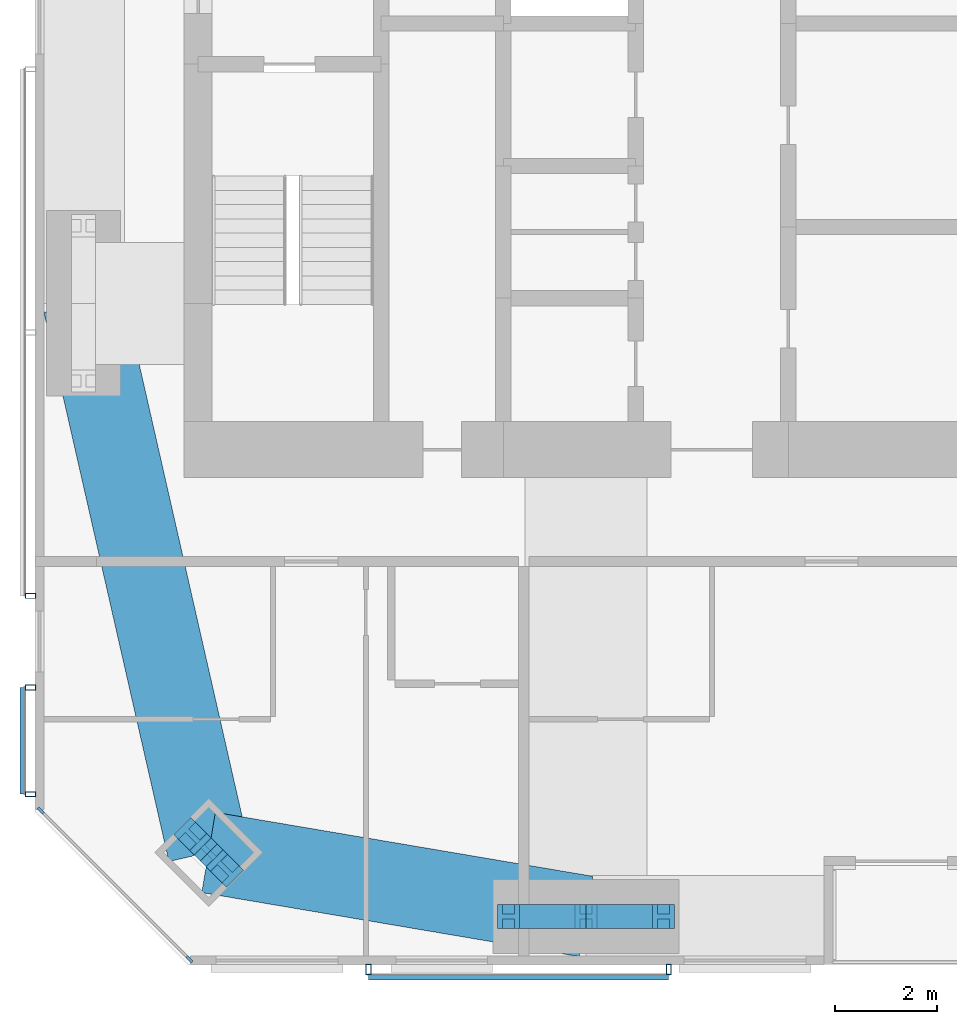
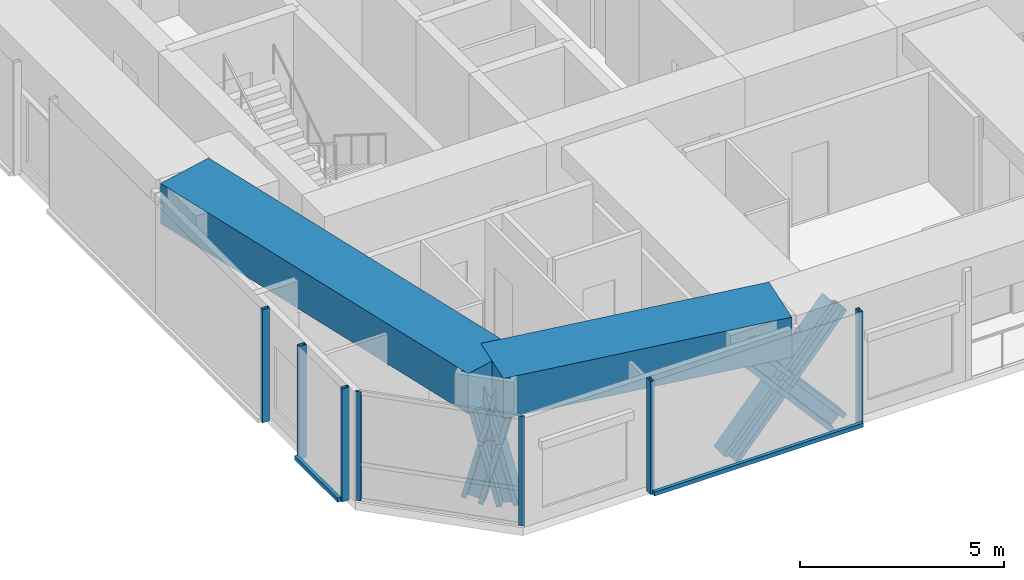
# One storey, part 2 of 19: 17 members, 2 beams, 4 elements without a shape of their own.
"""IFC4 building model written with IfcOpenShell, lengths in metres."""

from ifc_helpers import new_model, si_unit, direction, frame, origin, origin_2d, place, context, subcontext, project, spatial, rectangle, hollow_rectangle, i_section, extrude, material, material_profile, profile_set, type_object, element, aggregate, save


model = new_model("IFC4")

# Units and contexts
model_context = context("Model", 3, precision=1e-05, world=origin(), true_north=direction((0.0, 1.0)))
body_context = subcontext(model_context, "Body", "Model", "MODEL_VIEW")
ifc_project = project(units=[si_unit("LENGTHUNIT", "METRE"), si_unit("AREAUNIT", "SQUARE_METRE"), si_unit("VOLUMEUNIT", "CUBIC_METRE"), si_unit("PLANEANGLEUNIT", "RADIAN"), si_unit("MASSUNIT", "GRAM", prefix="KILO")], contexts=[model_context])

# Site, building, storey
site_placement = place(None, origin())
site = spatial("IfcSite", under=ifc_project, at=site_placement, CompositionType="ELEMENT")
building_placement = place(site_placement, origin())
building = spatial("IfcBuilding", under=site, at=building_placement, Name="Jalousie Tower", CompositionType="ELEMENT")
storey_placement = place(building_placement, frame((0.0, 0.0, 221.449951171875)))
storey = spatial("IfcBuildingStorey", under=building, at=storey_placement, Name="L60", CompositionType="ELEMENT", Elevation=221.449951171875)

# Curtain wall, members
ifc_material_1 = material(Name="Aluminium curtain wall", Category="aluminium")
curtain_wall_type_1 = type_object("IfcCurtainWallType", Name="CORNER WINDOW WALL", PredefinedType="USERDEFINED", material=ifc_material_1)
curtain_wall_1_placement = place(storey_placement, origin())
curtain_wall_1 = element("IfcCurtainWall", 1, at=curtain_wall_1_placement, inside=storey, type_object=curtain_wall_type_1, Name="Corner Window Wall L60 8", ObjectType="CORNER WINDOW WALL", PredefinedType="USERDEFINED")
ifc_material_2 = material(Name="Aluminium mullion", Category="aluminium")
ifc_material_profile_1 = material_profile(ifc_material_2, rectangle(XDim=0.06005859375, YDim=0.14990234375, at=origin_2d()), Name="MULLION 60x150")
ifc_profile_set_1 = profile_set([ifc_material_profile_1], Name="Aluminium mullion")
member_type_1 = type_object("IfcMemberType", Name="CORNER WINDOW WALL MULLION", PredefinedType="MULLION", material=ifc_profile_set_1)
member_1_placement = place(storey_placement, frame((16.90869140625, 3.030029296875, 0.0), z_axis=(0.0, 0.0, 1.0), x_axis=(0.707106781187, 0.707106781187, 0.0)))
member_1 = element("IfcMember", 2, at=member_1_placement, type_object=member_type_1, Name="CW-C mullion 1", PredefinedType="MULLION", context=body_context, shape_type="SweptSolid", body=[
    extrude(rectangle(XDim=0.06005859375, YDim=0.14990234375, at=origin_2d()), origin(), (0.0, 0.0, 1.0), 3.260009765625),
])
member_2_placement = place(storey_placement, frame((19.830078125, 0.108642578125, 0.0), z_axis=(0.0, 0.0, 1.0), x_axis=(0.707106781187, 0.707106781187, 0.0)))
member_2 = element("IfcMember", 3, at=member_2_placement, type_object=member_type_1, Name="CW-C mullion 2", PredefinedType="MULLION", context=body_context, shape_type="SweptSolid", body=[
    extrude(rectangle(XDim=0.06005859375, YDim=0.14990234375, at=origin_2d()), origin(), (0.0, 0.0, 1.0), 3.260009765625),
])
aggregate(curtain_wall_1, [member_1, member_2])

# Members
ifc_material_3 = material(Name="Steel ASTM A992 Grade 50", Category="steel")
ifc_material_profile_2 = material_profile(ifc_material_3, i_section(OverallWidth=0.472412109375, OverallDepth=0.5791015625, WebThickness=0.094970703125, FlangeThickness=0.1298828125, at=origin_2d()), Name="W14X808")
ifc_profile_set_2 = profile_set([ifc_material_profile_2], Name="Steel ASTM A992 Grade 50")
member_type_2 = type_object("IfcMemberType", Name="PERIMETER BRACE W14X808", PredefinedType="BRACE", material=ifc_profile_set_2)
for number, where, z_axis, x_axis, name in (
    (4, (19.888916015625, 2.525390625, -0.599853515625), (0.176051427143, -0.17618653952, 0.968485517854), (0.707377963048, 0.706835495285, 0.0), "Perimeter brace 01 L60 part 1"),
    (5, (20.20703125, 2.20703125, 1.150146484375), (0.17618653952, -0.176051427143, 0.968485517854), (0.706835495285, 0.707377963048, 0.0), "Perimeter brace 01 L60 part 2"),
    (6, (20.525390625, 1.888916015625, -0.599853515625), (-0.17618653952, 0.176051427143, 0.968485517854), (-0.706835495285, -0.707377963048, 0.0), "Perimeter brace 01 L60 part 3"),
    (7, (20.20703125, 2.20703125, 1.150146484375), (-0.176051427143, 0.17618653952, 0.968485517854), (-0.707377963048, -0.706835495285, 0.0), "Perimeter brace 01 L60 part 4"),
):
    element("IfcMember", number, at=place(storey_placement, frame(where, z_axis=z_axis, x_axis=x_axis)), inside=storey, type_object=member_type_2, Name=name, PredefinedType="BRACE", context=body_context, shape_type="SweptSolid", body=[
        extrude(i_section(OverallWidth=0.472412109375, OverallDepth=0.5791015625, WebThickness=0.094970703125, FlangeThickness=0.1298828125, at=origin_2d()), origin(), (0.0, 0.0, 1.0), 1.806884765625),
    ])
for number, where, z_axis, x_axis, name in (
    (8, (26.10009765625, 0.949951171875, -0.599853515625), (0.65695436777, 0.0, 0.753930340726), (0.0, 1.0, 0.0), "Perimeter brace 02 L60 part 1"),
    (9, (27.625, 0.949951171875, 1.150146484375), (0.65695436777, 0.0, 0.753930340726), (0.0, 1.0, 0.0), "Perimeter brace 02 L60 part 2"),
    (10, (29.14990234375, 0.949951171875, -0.599853515625), (-0.65695436777, 0.0, 0.753930340726), (0.0, -1.0, 0.0), "Perimeter brace 02 L60 part 3"),
    (11, (27.625, 0.949951171875, 1.150146484375), (-0.65695436777, 0.0, 0.753930340726), (0.0, -1.0, 0.0), "Perimeter brace 02 L60 part 4"),
):
    element("IfcMember", number, at=place(storey_placement, frame(where, z_axis=z_axis, x_axis=x_axis)), inside=storey, type_object=member_type_2, Name=name, PredefinedType="BRACE", context=body_context, shape_type="SweptSolid", body=[
        extrude(i_section(OverallWidth=0.472412109375, OverallDepth=0.5791015625, WebThickness=0.094970703125, FlangeThickness=0.1298828125, at=origin_2d()), origin(), (0.0, 0.0, 1.0), 2.3212890625),
    ])

# Beams
ifc_material_4 = material(Name="Concrete f'c 40 MPa", Category="concrete")
ifc_material_profile_3 = material_profile(ifc_material_4, rectangle(XDim=1.60009765625, YDim=1.199951171875, at=origin_2d()), Name="RC 1600x1200")
ifc_profile_set_3 = profile_set([ifc_material_profile_3], Name="Concrete f'c 40 MPa")
beam_type = type_object("IfcBeamType", Name="RC BEAM 1600x1200", PredefinedType="BEAM", material=ifc_profile_set_3)
beam_1_placement = place(storey_placement, frame((20.20703125, 2.20703125, 2.900146484375), z_axis=(0.985942997446, -0.167082033105, 0.0), x_axis=(0.167082033105, 0.985942997446, 0.0)))
element("IfcBeam", 12, at=beam_1_placement, inside=storey, type_object=beam_type, Name="Edge band beam 01-02 under L61", PredefinedType="BEAM", context=body_context, shape_type="SweptSolid", body=[
    extrude(rectangle(XDim=1.60009765625, YDim=1.199951171875, at=origin_2d()), origin(), (0.0, 0.0, 1.0), 7.523681640625),
])
beam_2_placement = place(storey_placement, frame((17.75, 13.0, 2.900146484375), z_axis=(0.221971905818, -0.975053061647, 0.0), x_axis=(0.975053061647, 0.221971905818, 0.0)))
element("IfcBeam", 13, at=beam_2_placement, inside=storey, type_object=beam_type, Name="Edge band beam 14-01 under L61", PredefinedType="BEAM", context=body_context, shape_type="SweptSolid", body=[
    extrude(rectangle(XDim=1.60009765625, YDim=1.199951171875, at=origin_2d()), origin(), (0.0, 0.0, 1.0), 11.069091796875),
])

# Curtain wall, members
ifc_material_5 = material(Name="Perforated aluminium sheet", Category="aluminium")
curtain_wall_type_2 = type_object("IfcCurtainWallType", Name="SOLAR SCREEN SS-2", PredefinedType="USERDEFINED", material=ifc_material_5)
curtain_wall_2_placement = place(storey_placement, origin())
curtain_wall_2 = element("IfcCurtainWall", 14, at=curtain_wall_2_placement, inside=storey, type_object=curtain_wall_type_2, Name="Solar screen L60", ObjectType="SOLAR SCREEN SS-2", PredefinedType="USERDEFINED")
ifc_material_6 = material(Name="Steel ASTM A500 Grade C", Category="steel")
ifc_material_profile_4 = material_profile(ifc_material_6, hollow_rectangle(XDim=0.1015625, YDim=0.203125, WallThickness=0.0078125, at=origin_2d()), Name="HSS8X4X5/16")
ifc_profile_set_4 = profile_set([ifc_material_profile_4], Name="Steel ASTM A500 Grade C")
member_type_3 = type_object("IfcMemberType", Name="SOLAR SCREEN SS-2 MULLION", PredefinedType="MULLION", material=ifc_profile_set_4)
member_3_placement = place(storey_placement, frame((23.35009765625, -0.0966796875, -0.119873046875), z_axis=(0.0, 0.0, 1.0), x_axis=(1.0, 0.0, 0.0)))
member_3 = element("IfcMember", 15, at=member_3_placement, type_object=member_type_3, Name="SS2 post 1", PredefinedType="MULLION", context=body_context, shape_type="SweptSolid", body=[
    extrude(hollow_rectangle(XDim=0.1015625, YDim=0.203125, WallThickness=0.0078125, at=origin_2d()), origin(), (0.0, 0.0, 1.0), 3.3798828125),
])
member_4_placement = place(storey_placement, frame((29.25, -0.0966796875, -0.119873046875), z_axis=(0.0, 0.0, 1.0), x_axis=(1.0, 0.0, 0.0)))
member_4 = element("IfcMember", 16, at=member_4_placement, type_object=member_type_3, Name="SS2 post 2", PredefinedType="MULLION", context=body_context, shape_type="SweptSolid", body=[
    extrude(hollow_rectangle(XDim=0.1015625, YDim=0.203125, WallThickness=0.0078125, at=origin_2d()), origin(), (0.0, 0.0, 1.0), 3.3798828125),
])

# Curtain wall, member
curtain_wall_3_placement = place(storey_placement, origin())
curtain_wall_3 = element("IfcCurtainWall", 17, at=curtain_wall_3_placement, inside=storey, type_object=curtain_wall_type_2, Name="Solar screen L60", ObjectType="SOLAR SCREEN SS-2", PredefinedType="USERDEFINED")
member_5_placement = place(storey_placement, frame((16.703369140625, 7.25, -0.119873046875), z_axis=(0.0, 0.0, 1.0), x_axis=(0.0, -1.0, 0.0)))
member_5 = element("IfcMember", 18, at=member_5_placement, type_object=member_type_3, Name="SS2 post 3", PredefinedType="MULLION", context=body_context, shape_type="SweptSolid", body=[
    extrude(hollow_rectangle(XDim=0.1015625, YDim=0.203125, WallThickness=0.0078125, at=origin_2d()), origin(), (0.0, 0.0, 1.0), 3.3798828125),
])
aggregate(curtain_wall_3, [member_5])

# Curtain wall, members
curtain_wall_4_placement = place(storey_placement, origin())
curtain_wall_4 = element("IfcCurtainWall", 19, at=curtain_wall_4_placement, inside=storey, type_object=curtain_wall_type_2, Name="Solar screen L60", ObjectType="SOLAR SCREEN SS-2", PredefinedType="USERDEFINED")
member_6_placement = place(storey_placement, frame((16.703369140625, 5.449951171875, -0.119873046875), z_axis=(0.0, 0.0, 1.0), x_axis=(0.0, -1.0, 0.0)))
member_6 = element("IfcMember", 20, at=member_6_placement, type_object=member_type_3, Name="SS2 post 1", PredefinedType="MULLION", context=body_context, shape_type="SweptSolid", body=[
    extrude(hollow_rectangle(XDim=0.1015625, YDim=0.203125, WallThickness=0.0078125, at=origin_2d()), origin(), (0.0, 0.0, 1.0), 3.3798828125),
])
member_7_placement = place(storey_placement, frame((16.703369140625, 3.351318359375, -0.119873046875), z_axis=(0.0, 0.0, 1.0), x_axis=(0.0, -1.0, 0.0)))
member_7 = element("IfcMember", 21, at=member_7_placement, type_object=member_type_3, Name="SS2 post 2", PredefinedType="MULLION", context=body_context, shape_type="SweptSolid", body=[
    extrude(hollow_rectangle(XDim=0.1015625, YDim=0.203125, WallThickness=0.0078125, at=origin_2d()), origin(), (0.0, 0.0, 1.0), 3.3798828125),
])

# Member
ifc_material_7 = material(Name="Extruded aluminium screen rail", Category="aluminium")
ifc_material_profile_5 = material_profile(ifc_material_7, rectangle(XDim=0.1015625, YDim=0.1201171875, at=origin_2d()), Name="RAIL 102x120")
ifc_profile_set_5 = profile_set([ifc_material_profile_5], Name="Extruded aluminium screen rail")
member_type_4 = type_object("IfcMemberType", Name="SOLAR SCREEN SS-2 TRANSOM", PredefinedType="USERDEFINED", material=ifc_profile_set_5)
member_8_placement = place(storey_placement, frame((23.35009765625, -0.2490234375, -0.06005859375), z_axis=(1.0, 0.0, 0.0), x_axis=(0.0, 1.0, 0.0)))
member_8 = element("IfcMember", 22, at=member_8_placement, type_object=member_type_4, Name="SS2 rail", ObjectType="TRANSOM", PredefinedType="USERDEFINED", context=body_context, shape_type="SweptSolid", body=[
    extrude(rectangle(XDim=0.1015625, YDim=0.1201171875, at=origin_2d()), origin(), (0.0, 0.0, 1.0), 5.89990234375),
])

aggregate(curtain_wall_2, [member_3, member_4, member_8])

member_9_placement = place(storey_placement, frame((16.551025390625, 5.449951171875, -0.06005859375), z_axis=(0.0, -1.0, 0.0), x_axis=(1.0, 0.0, 0.0)))
member_9 = element("IfcMember", 23, at=member_9_placement, type_object=member_type_4, Name="SS2 rail", ObjectType="TRANSOM", PredefinedType="USERDEFINED", context=body_context, shape_type="SweptSolid", body=[
    extrude(rectangle(XDim=0.1015625, YDim=0.1201171875, at=origin_2d()), origin(), (0.0, 0.0, 1.0), 2.0986328125),
])

aggregate(curtain_wall_4, [member_6, member_7, member_9])

save(model, "model.ifc")
